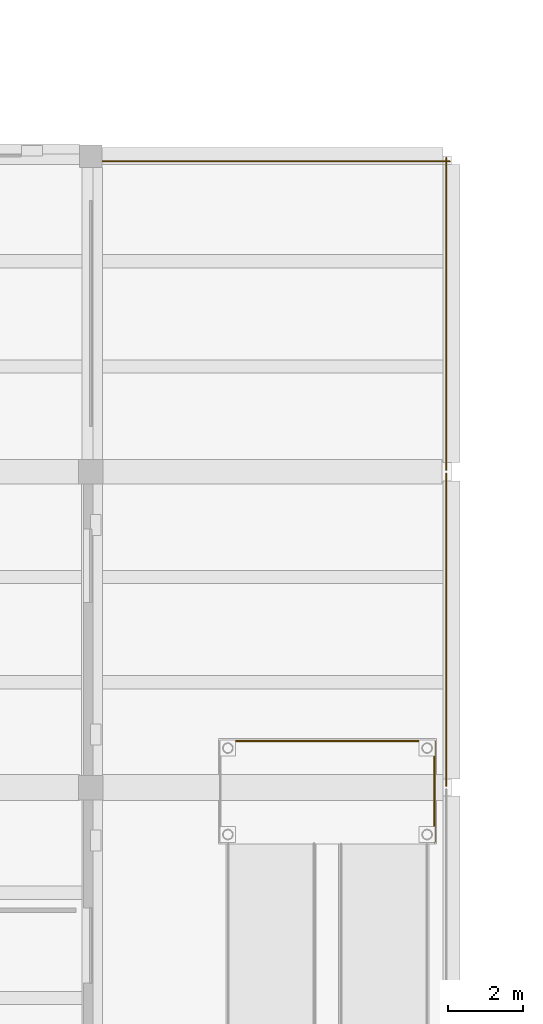
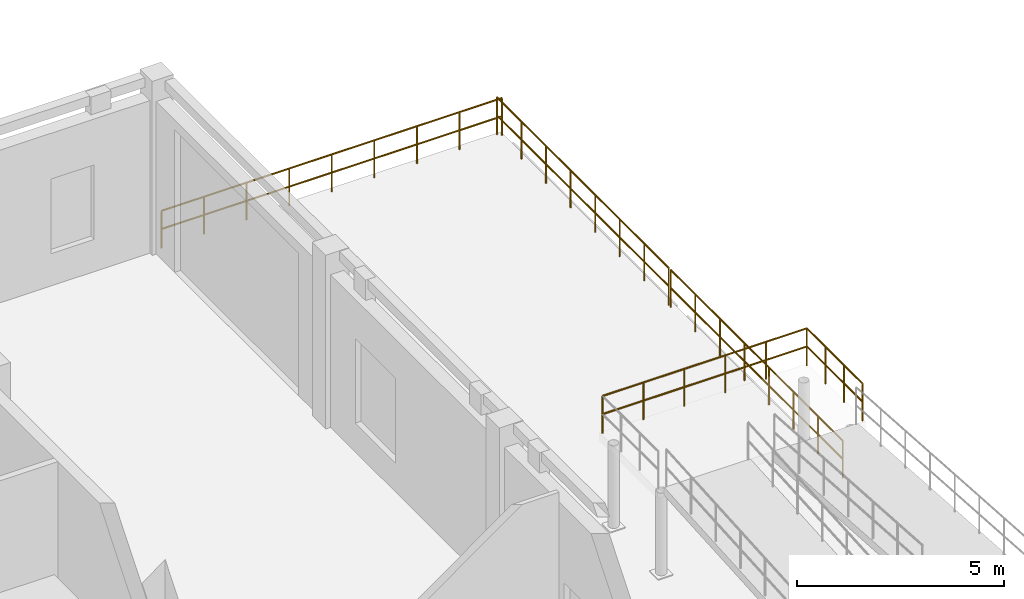
# One storey, part 70 of 71: 5 railings.
"""IFC4 building model written with IfcOpenShell, lengths in metres."""

from ifc_helpers import new_model, si_unit, direction, frame, origin, origin_2d, place, context, subcontext, project, spatial, circle, extrude, material, layer, layer_set, type_object, element, save


model = new_model("IFC4")

# Units and contexts
model_context = context("Model", 3, precision=1e-05, world=origin(), true_north=direction((0.0, 1.0)))
body_context = subcontext(model_context, "Body", "Model", "MODEL_VIEW")
ifc_project = project(units=[si_unit("LENGTHUNIT", "METRE"), si_unit("AREAUNIT", "SQUARE_METRE"), si_unit("VOLUMEUNIT", "CUBIC_METRE"), si_unit("PLANEANGLEUNIT", "RADIAN"), si_unit("MASSUNIT", "GRAM", prefix="KILO")], contexts=[model_context])

# Site, building, storey
site_placement = place(None, origin())
site = spatial("IfcSite", under=ifc_project, at=site_placement, CompositionType="ELEMENT")
building_placement = place(site_placement, origin())
building = spatial("IfcBuilding", under=site, at=building_placement, Name="Lornevale Opera House", CompositionType="ELEMENT")
storey_placement = place(building_placement, origin())
storey = spatial("IfcBuildingStorey", under=building, at=storey_placement, Name="L01", CompositionType="ELEMENT", Elevation=0.0)

# Railings
ifc_material = material(Name="Structural Steel CSA G40.21 Grade 350W (350 MPa)", Category="steel")
ifc_layer = layer(ifc_material, 0.06005859375)
ifc_layer_set = layer_set([ifc_layer], Name="Structural Steel CSA G40.21 Grade 350W (350 MPa)")
railing_type = type_object("IfcRailingType", Name="Terrace Tubular Guardrail 1120", PredefinedType="GUARDRAIL", material=ifc_layer_set)
railing_1_placement = place(storey_placement, frame((157.050048828125, 68.43994140625, 2.699951171875)))
element("IfcRailing", 1, at=railing_1_placement, inside=storey, type_object=railing_type, Name="Parterre Ramp L01 Mid-Landing Guard 0240", PredefinedType="GUARDRAIL", context=body_context, shape_type="SweptSolid", body=[
    extrude(circle(Radius=0.02392578125, at=origin_2d()), frame((0.0, 0.0, 1.09619140625), z_axis=(1.0, 0.0, 0.0), x_axis=(0.0, 1.0, 0.0)), (0.0, 0.0, 1.0), 5.699951171875),
    extrude(circle(Radius=0.02392578125, at=origin_2d()), frame((0.0, 0.0, 0.56005859375), z_axis=(1.0, 0.0, 0.0), x_axis=(0.0, 1.0, 0.0)), (0.0, 0.0, 1.0), 5.699951171875),
    extrude(circle(Radius=0.02099609375, at=origin_2d()), origin(), (0.0, 0.0, 1.0), 1.072021484375),
    extrude(circle(Radius=0.02099609375, at=origin_2d()), frame((1.139892578125, 0.0, 0.0)), (0.0, 0.0, 1.0), 1.072021484375),
    extrude(circle(Radius=0.02099609375, at=origin_2d()), frame((2.280029296875, 0.0, 0.0)), (0.0, 0.0, 1.0), 1.072021484375),
    extrude(circle(Radius=0.02099609375, at=origin_2d()), frame((3.419921875, 0.0, 0.0)), (0.0, 0.0, 1.0), 1.072021484375),
    extrude(circle(Radius=0.02099609375, at=origin_2d()), frame((4.56005859375, 0.0, 0.0)), (0.0, 0.0, 1.0), 1.072021484375),
    extrude(circle(Radius=0.02099609375, at=origin_2d()), frame((5.699951171875, 0.0, 0.0)), (0.0, 0.0, 1.0), 1.072021484375),
])
railing_2_placement = place(storey_placement, frame((162.75, 65.75, 2.699951171875)))
element("IfcRailing", 2, at=railing_2_placement, inside=storey, type_object=railing_type, Name="Parterre Ramp L01 Mid-Landing Guard 0242", PredefinedType="GUARDRAIL", context=body_context, shape_type="SweptSolid", body=[
    extrude(circle(Radius=0.02392578125, at=origin_2d()), frame((0.0, 0.0, 1.09619140625), z_axis=(0.0, 1.0, 0.0), x_axis=(-1.0, 0.0, 0.0)), (0.0, 0.0, 1.0), 2.68994140625),
    extrude(circle(Radius=0.02392578125, at=origin_2d()), frame((0.0, 0.0, 0.56005859375), z_axis=(0.0, 1.0, 0.0), x_axis=(-1.0, 0.0, 0.0)), (0.0, 0.0, 1.0), 2.68994140625),
    extrude(circle(Radius=0.02099609375, at=origin_2d()), origin(), (0.0, 0.0, 1.0), 1.072021484375),
    extrude(circle(Radius=0.02099609375, at=origin_2d()), frame((0.0, 0.896728515625, 0.0)), (0.0, 0.0, 1.0), 1.072021484375),
    extrude(circle(Radius=0.02099609375, at=origin_2d()), frame((0.0, 1.793212890625, 0.0)), (0.0, 0.0, 1.0), 1.072021484375),
    extrude(circle(Radius=0.02099609375, at=origin_2d()), frame((0.0, 2.68994140625, 0.0)), (0.0, 0.0, 1.0), 1.072021484375),
])
railing_3_placement = place(storey_placement, frame((163.06005859375, 67.25, 0.0)))
element("IfcRailing", 3, at=railing_3_placement, inside=storey, type_object=railing_type, Name="Terrace Perimeter Guard L01 0291", PredefinedType="GUARDRAIL", context=body_context, shape_type="SweptSolid", body=[
    extrude(circle(Radius=0.02392578125, at=origin_2d()), frame((0.0, 0.0, 1.09619140625), z_axis=(0.0, 1.0, 0.0), x_axis=(-1.0, 0.0, 0.0)), (0.0, 0.0, 1.0), 8.300048828125),
    extrude(circle(Radius=0.02392578125, at=origin_2d()), frame((0.0, 0.0, 0.56005859375), z_axis=(0.0, 1.0, 0.0), x_axis=(-1.0, 0.0, 0.0)), (0.0, 0.0, 1.0), 8.300048828125),
    extrude(circle(Radius=0.02099609375, at=origin_2d()), origin(), (0.0, 0.0, 1.0), 1.072021484375),
    extrude(circle(Radius=0.02099609375, at=origin_2d()), frame((0.0, 1.185791015625, 0.0)), (0.0, 0.0, 1.0), 1.072021484375),
    extrude(circle(Radius=0.02099609375, at=origin_2d()), frame((0.0, 2.371337890625, 0.0)), (0.0, 0.0, 1.0), 1.072021484375),
    extrude(circle(Radius=0.02099609375, at=origin_2d()), frame((0.0, 3.55712890625, 0.0)), (0.0, 0.0, 1.0), 1.072021484375),
    extrude(circle(Radius=0.02099609375, at=origin_2d()), frame((0.0, 4.742919921875, 0.0)), (0.0, 0.0, 1.0), 1.072021484375),
    extrude(circle(Radius=0.02099609375, at=origin_2d()), frame((0.0, 5.9287109375, 0.0)), (0.0, 0.0, 1.0), 1.072021484375),
    extrude(circle(Radius=0.02099609375, at=origin_2d()), frame((0.0, 7.1142578125, 0.0)), (0.0, 0.0, 1.0), 1.072021484375),
    extrude(circle(Radius=0.02099609375, at=origin_2d()), frame((0.0, 8.300048828125, 0.0)), (0.0, 0.0, 1.0), 1.072021484375),
])
railing_4_placement = place(storey_placement, frame((153.64990234375, 83.860107421875, 0.0)))
element("IfcRailing", 4, at=railing_4_placement, inside=storey, type_object=railing_type, Name="Terrace Perimeter Guard L01 0292", PredefinedType="GUARDRAIL", context=body_context, shape_type="SweptSolid", body=[
    extrude(circle(Radius=0.02392578125, at=origin_2d()), frame((0.0, 0.0, 1.09619140625), z_axis=(1.0, 0.0, 0.0), x_axis=(0.0, 1.0, 0.0)), (0.0, 0.0, 1.0), 9.5),
    extrude(circle(Radius=0.02392578125, at=origin_2d()), frame((0.0, 0.0, 0.56005859375), z_axis=(1.0, 0.0, 0.0), x_axis=(0.0, 1.0, 0.0)), (0.0, 0.0, 1.0), 9.5),
    extrude(circle(Radius=0.02099609375, at=origin_2d()), origin(), (0.0, 0.0, 1.0), 1.072021484375),
    extrude(circle(Radius=0.02099609375, at=origin_2d()), frame((1.1875, 0.0, 0.0)), (0.0, 0.0, 1.0), 1.072021484375),
    extrude(circle(Radius=0.02099609375, at=origin_2d()), frame((2.375, 0.0, 0.0)), (0.0, 0.0, 1.0), 1.072021484375),
    extrude(circle(Radius=0.02099609375, at=origin_2d()), frame((3.5625, 0.0, 0.0)), (0.0, 0.0, 1.0), 1.072021484375),
    extrude(circle(Radius=0.02099609375, at=origin_2d()), frame((4.75, 0.0, 0.0)), (0.0, 0.0, 1.0), 1.072021484375),
    extrude(circle(Radius=0.02099609375, at=origin_2d()), frame((5.9375, 0.0, 0.0)), (0.0, 0.0, 1.0), 1.072021484375),
    extrude(circle(Radius=0.02099609375, at=origin_2d()), frame((7.125, 0.0, 0.0)), (0.0, 0.0, 1.0), 1.072021484375),
    extrude(circle(Radius=0.02099609375, at=origin_2d()), frame((8.3125, 0.0, 0.0)), (0.0, 0.0, 1.0), 1.072021484375),
    extrude(circle(Radius=0.02099609375, at=origin_2d()), frame((9.5, 0.0, 0.0)), (0.0, 0.0, 1.0), 1.072021484375),
])
railing_5_placement = place(storey_placement, frame((163.06005859375, 75.64990234375, 0.0)))
element("IfcRailing", 5, at=railing_5_placement, inside=storey, type_object=railing_type, Name="Terrace Perimeter Guard L01 0293", PredefinedType="GUARDRAIL", context=body_context, shape_type="SweptSolid", body=[
    extrude(circle(Radius=0.02392578125, at=origin_2d()), frame((0.0, 0.0, 1.09619140625), z_axis=(0.0, 1.0, 0.0), x_axis=(-1.0, 0.0, 0.0)), (0.0, 0.0, 1.0), 8.300048828125),
    extrude(circle(Radius=0.02392578125, at=origin_2d()), frame((0.0, 0.0, 0.56005859375), z_axis=(0.0, 1.0, 0.0), x_axis=(-1.0, 0.0, 0.0)), (0.0, 0.0, 1.0), 8.300048828125),
    extrude(circle(Radius=0.02099609375, at=origin_2d()), origin(), (0.0, 0.0, 1.0), 1.072021484375),
    extrude(circle(Radius=0.02099609375, at=origin_2d()), frame((0.0, 1.185791015625, 0.0)), (0.0, 0.0, 1.0), 1.072021484375),
    extrude(circle(Radius=0.02099609375, at=origin_2d()), frame((0.0, 2.371337890625, 0.0)), (0.0, 0.0, 1.0), 1.072021484375),
    extrude(circle(Radius=0.02099609375, at=origin_2d()), frame((0.0, 3.55712890625, 0.0)), (0.0, 0.0, 1.0), 1.072021484375),
    extrude(circle(Radius=0.02099609375, at=origin_2d()), frame((0.0, 4.742919921875, 0.0)), (0.0, 0.0, 1.0), 1.072021484375),
    extrude(circle(Radius=0.02099609375, at=origin_2d()), frame((0.0, 5.9287109375, 0.0)), (0.0, 0.0, 1.0), 1.072021484375),
    extrude(circle(Radius=0.02099609375, at=origin_2d()), frame((0.0, 7.1142578125, 0.0)), (0.0, 0.0, 1.0), 1.072021484375),
    extrude(circle(Radius=0.02099609375, at=origin_2d()), frame((0.0, 8.300048828125, 0.0)), (0.0, 0.0, 1.0), 1.072021484375),
])

save(model, "model.ifc")
